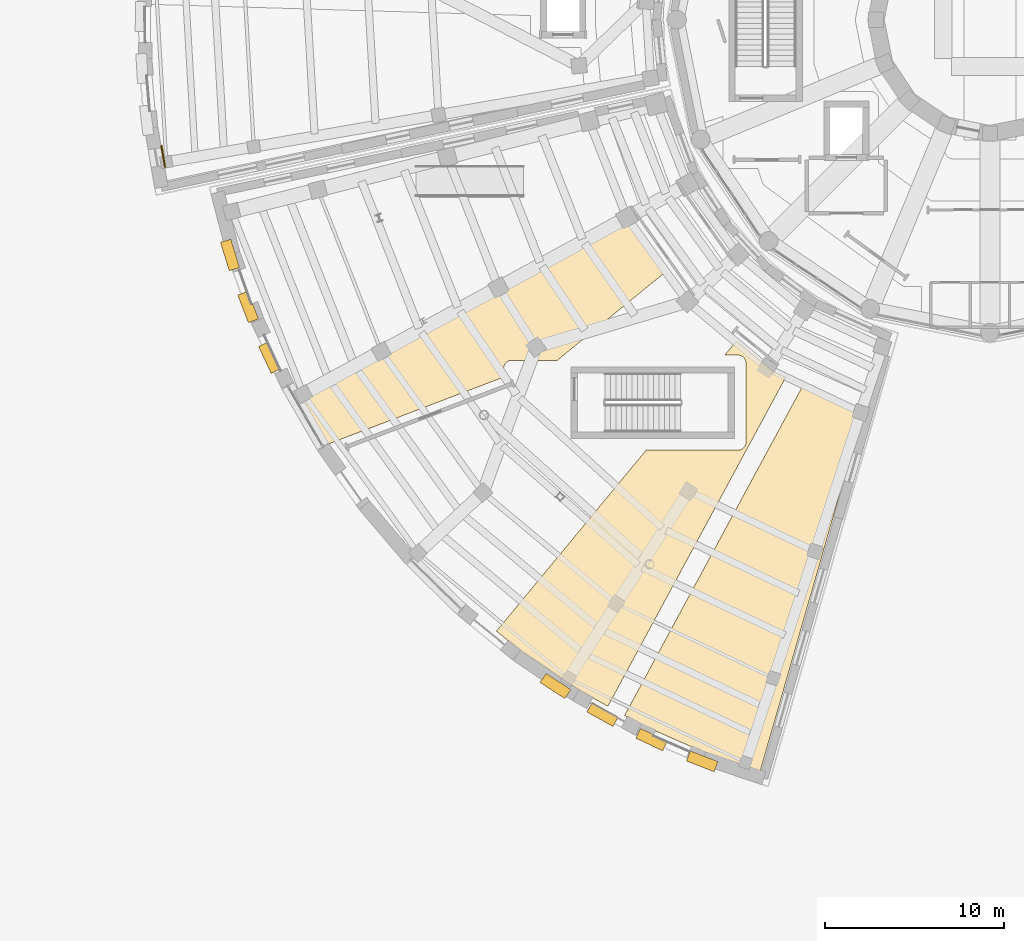
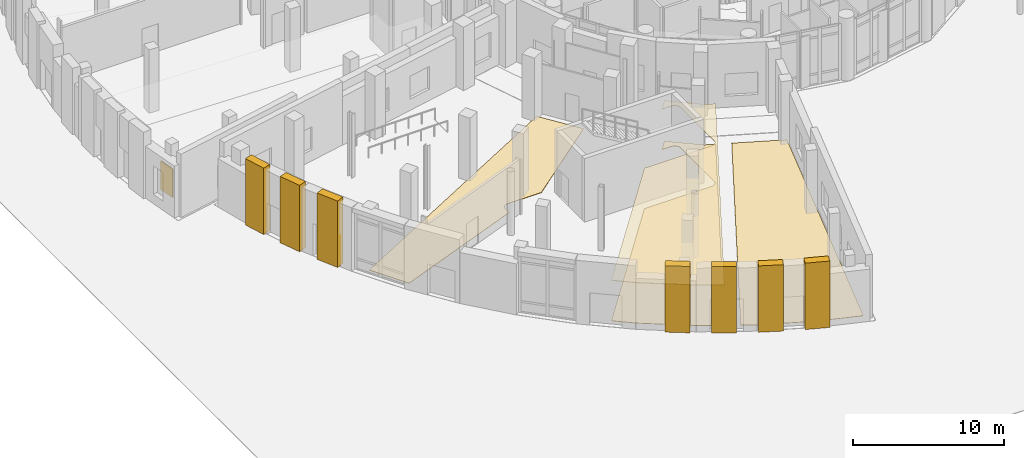
# One storey, part 57 of 74: 12 coverings.
"""IFC4 building model written with IfcOpenShell, lengths in metres."""

from ifc_helpers import new_model, si_unit, direction, frame, origin, origin_2d, place, context, subcontext, project, spatial, polyline, rectangle, outline, extrude, material, layer, layer_set, type_object, element, save


model = new_model("IFC4")

# Units and contexts
model_context = context("Model", 3, precision=1e-05, world=origin(), true_north=direction((0.0, 1.0)))
body_context = subcontext(model_context, "Body", "Model", "MODEL_VIEW")
ifc_project = project(units=[si_unit("LENGTHUNIT", "METRE"), si_unit("AREAUNIT", "SQUARE_METRE"), si_unit("VOLUMEUNIT", "CUBIC_METRE"), si_unit("PLANEANGLEUNIT", "RADIAN"), si_unit("MASSUNIT", "GRAM", prefix="KILO")], contexts=[model_context])

# Site, building, storey
site_placement = place(None, origin())
site = spatial("IfcSite", under=ifc_project, at=site_placement, CompositionType="ELEMENT")
building_placement = place(site_placement, origin())
building = spatial("IfcBuilding", under=site, at=building_placement, Name="Soyqirgoq Riverine Aquarium", CompositionType="ELEMENT")
storey_placement = place(building_placement, origin())
storey = spatial("IfcBuildingStorey", under=building, at=storey_placement, Name="L01", CompositionType="ELEMENT", Elevation=0.0)

# Coverings
ifc_material_1 = material(Name="Perforated mineral-fibre acoustic ceiling", Category="gypsum")
ifc_layer_1 = layer(ifc_material_1, 0.050048828125)
ifc_layer_set_1 = layer_set([ifc_layer_1], Name="Perforated mineral-fibre acoustic ceiling")
covering_type_1 = type_object("IfcCoveringType", Name="AcousticBaffleCeiling_50", PredefinedType="CEILING", material=ifc_layer_set_1)
covering_1_placement = place(storey_placement, frame((0.0, 0.0, 3.25)))
element("IfcCovering", 1, at=covering_1_placement, inside=storey, type_object=covering_type_1, Name="Riverine Cafe Suspended Ceiling", PredefinedType="CEILING", context=body_context, shape_type="SweptSolid", body=[
    extrude(outline(polyline([(33.089111328125, 19.612060546875), (29.81494140625, 21.826904296875), (28.488037109375, 22.912109375), (36.8330078125, 33.0), (41.949951171875, 33.0), (41.993896484375, 33.001953125), (42.0380859375, 33.009033203125), (42.0810546875, 33.01904296875), (42.1220703125, 33.033935546875), (42.162109375, 33.052978515625), (42.199951171875, 33.075927734375), (42.235107421875, 33.10205078125), (42.26806640625, 33.132080078125), (42.298095703125, 33.1650390625), (42.323974609375, 33.199951171875), (42.346923828125, 33.238037109375), (42.365966796875, 33.278076171875), (42.381103515625, 33.319091796875), (42.39111328125, 33.362060546875), (42.39794921875, 33.406005859375), (42.39990234375, 33.449951171875), (42.39990234375, 37.85009765625), (42.39794921875, 37.89404296875), (42.39111328125, 37.93798828125), (42.381103515625, 37.98095703125), (42.365966796875, 38.02197265625), (42.346923828125, 38.06201171875), (42.323974609375, 38.10009765625), (42.298095703125, 38.135009765625), (42.26806640625, 38.16796875), (42.235107421875, 38.197998046875), (42.199951171875, 38.22412109375), (42.162109375, 38.2470703125), (42.1220703125, 38.26611328125), (42.0810546875, 38.281005859375), (42.0380859375, 38.291015625), (41.993896484375, 38.298095703125), (41.949951171875, 38.300048828125), (41.218017578125, 38.300048828125), (41.862060546875, 39.077880859375), (43.9169921875, 37.39892578125), (43.949951171875, 37.3740234375), (43.98388671875, 37.35302734375), (44.02099609375, 37.3349609375), (44.6220703125, 37.071044921875), (34.700927734375, 18.721923828125), (33.089111328125, 19.612060546875)])), origin(), (0.0, 0.0, 1.0), 0.050048828125),
])
ifc_material_2 = material(Name="Anodised extruded aluminium sunshade", Category="aluminium")
covering_type_2 = type_object("IfcCoveringType", Name="SolarShadingLouvre_450", PredefinedType="USERDEFINED", material=ifc_material_2)
covering_2_placement = place(storey_placement, frame((9.904052734375, 49.381591796875, 0.75), z_axis=(0.0, 0.0, 1.0), x_axis=(-0.167973243363, 0.9857915548, 0.0)))
element("IfcCovering", 2, at=covering_2_placement, inside=storey, type_object=covering_type_2, Name="V3 L01 Travertine Niche Solar Shade 0029", ObjectType="SOLAR_SHADING", PredefinedType="USERDEFINED", context=body_context, shape_type="SweptSolid", body=[
    extrude(rectangle(XDim=1.239990234375, YDim=0.080078125, at=origin_2d()), origin(), (0.0, 0.0, 1.0), 2.300048828125),
])
ifc_material_3 = material(Name="Polished Chirchiq river-pebble terrazzo flooring", Category="concrete")
ifc_layer_2 = layer(ifc_material_3, 0.030029296875)
ifc_layer_set_2 = layer_set([ifc_layer_2], Name="Polished Chirchiq river-pebble terrazzo flooring")
covering_type_3 = type_object("IfcCoveringType", Name="TerrazzoFloorFinish_30", PredefinedType="FLOORING", material=ifc_layer_set_2)
covering_3_placement = place(storey_placement, origin())
element("IfcCovering", 3, at=covering_3_placement, inside=storey, type_object=covering_type_3, Name="Main Entrance Concourse Floor Finish", PredefinedType="FLOORING", context=body_context, shape_type="SweptSolid", body=[
    extrude(outline(polyline([(19.0869140625, 33.33203125), (17.56298828125, 35.9619140625), (35.992919921875, 45.761962890625), (37.964111328125, 42.97412109375), (31.876953125, 38.010009765625), (29.340087890625, 38.010009765625), (29.2958984375, 38.008056640625), (29.251953125, 38.0009765625), (29.208984375, 37.990966796875), (29.16796875, 37.97607421875), (29.1279296875, 37.95703125), (29.090087890625, 37.93408203125), (29.054931640625, 37.907958984375), (29.02197265625, 37.8779296875), (28.991943359375, 37.844970703125), (28.966064453125, 37.81005859375), (28.943115234375, 37.77197265625), (28.924072265625, 37.73193359375), (28.908935546875, 37.69091796875), (28.89892578125, 37.64794921875), (28.89208984375, 37.60400390625), (28.889892578125, 37.56005859375), (28.889892578125, 37.074951171875), (19.0869140625, 33.33203125), (19.0869140625, 33.33203125)])), origin(), (0.0, 0.0, 1.0), 0.030029296875),
])
covering_4_placement = place(storey_placement, origin())
element("IfcCovering", 4, at=covering_4_placement, inside=storey, type_object=covering_type_3, Name="Riverine Cafe Floor Finish", PredefinedType="FLOORING", context=body_context, shape_type="SweptSolid", body=[
    extrude(outline(polyline([(33.089111328125, 19.612060546875), (29.81494140625, 21.826904296875), (28.488037109375, 22.912109375), (36.8330078125, 33.0), (41.949951171875, 33.0), (41.993896484375, 33.001953125), (42.0380859375, 33.009033203125), (42.0810546875, 33.01904296875), (42.1220703125, 33.033935546875), (42.162109375, 33.052978515625), (42.199951171875, 33.075927734375), (42.235107421875, 33.10205078125), (42.26806640625, 33.132080078125), (42.298095703125, 33.1650390625), (42.323974609375, 33.199951171875), (42.346923828125, 33.238037109375), (42.365966796875, 33.278076171875), (42.381103515625, 33.319091796875), (42.39111328125, 33.362060546875), (42.39794921875, 33.406005859375), (42.39990234375, 33.449951171875), (42.39990234375, 37.85009765625), (42.39794921875, 37.89404296875), (42.39111328125, 37.93798828125), (42.381103515625, 37.98095703125), (42.365966796875, 38.02197265625), (42.346923828125, 38.06201171875), (42.323974609375, 38.10009765625), (42.298095703125, 38.135009765625), (42.26806640625, 38.16796875), (42.235107421875, 38.197998046875), (42.199951171875, 38.22412109375), (42.162109375, 38.2470703125), (42.1220703125, 38.26611328125), (42.0810546875, 38.281005859375), (42.0380859375, 38.291015625), (41.993896484375, 38.298095703125), (41.949951171875, 38.300048828125), (41.218017578125, 38.300048828125), (41.862060546875, 39.077880859375), (43.9169921875, 37.39892578125), (43.949951171875, 37.3740234375), (43.98388671875, 37.35302734375), (44.02099609375, 37.3349609375), (44.6220703125, 37.071044921875), (34.700927734375, 18.721923828125), (33.089111328125, 19.612060546875)])), origin(), (0.0, 0.0, 1.0), 0.030029296875),
])
covering_5_placement = place(storey_placement, origin())
element("IfcCovering", 5, at=covering_5_placement, inside=storey, type_object=covering_type_3, Name="Ticketing Foyer Floor Finish", PredefinedType="FLOORING", context=body_context, shape_type="SweptSolid", body=[
    extrude(outline(polyline([(40.1669921875, 16.10888671875), (36.549072265625, 17.700927734375), (35.6279296875, 18.208984375), (45.594970703125, 36.64208984375), (48.948974609375, 35.1669921875), (43.19189453125, 15.092041015625), (40.1669921875, 16.10888671875)])), origin(), (0.0, 0.0, 1.0), 0.030029296875),
])
ifc_material_4 = material(Name="Honed Uzbek travertine limestone vertical niche pier", Category="masonry")
covering_type_4 = type_object("IfcCoveringType", Name="TravertineNichePier_550", PredefinedType="CLADDING", material=ifc_material_4)
for number, where, z_axis, x_axis, name in (
    (6, (13.63330078125, 43.88525390625, 0.0), (0.0, 0.0, 1.0), (-0.955278362122, -0.295708050044, 0.0), "V2 L01 Travertine Vertical Niche Pier 001"),
    (7, (14.642822265625, 40.984130859375, 0.0), (0.0, 0.0, 1.0), (-0.932513019588, -0.361136356933, 0.0), "V2 L01 Travertine Vertical Niche Pier 002"),
    (8, (15.8505859375, 38.159912109375, 0.0), (0.0, 0.0, 1.0), (-0.905272431289, -0.424831525605, 0.0), "V2 L01 Travertine Vertical Niche Pier 003"),
    (9, (31.775390625, 19.850341796875, 0.0), (0.0, 0.0, 1.0), (-0.546248162194, -0.837623391089, 0.0), "V2 L01 Travertine Vertical Niche Pier 004"),
    (10, (34.405029296875, 18.2626953125, 0.0), (0.0, 0.0, 1.0), (-0.486945269945, -0.873432483984, 0.0), "V2 L01 Travertine Vertical Niche Pier 005"),
    (11, (37.13818359375, 16.86083984375, 0.0), (0.0, 0.0, 1.0), (-0.425305466885, -0.90504986594, 0.0), "V2 L01 Travertine Vertical Niche Pier 006"),
    (12, (39.9619140625, 15.6513671875, 0.0), (0.0, 0.0, 1.0), (-0.361624570082, -0.932323801216, 0.0), "V2 L01 Travertine Vertical Niche Pier 007"),
):
    element("IfcCovering", number, at=place(storey_placement, frame(where, z_axis=z_axis, x_axis=x_axis)), inside=storey, type_object=covering_type_4, Name=name, PredefinedType="CLADDING", context=body_context, shape_type="SweptSolid", body=[
        extrude(rectangle(XDim=0.60009765625, YDim=1.64990234375, at=origin_2d()), origin(), (0.0, 0.0, 1.0), 5.35009765625),
    ])

save(model, "model.ifc")
